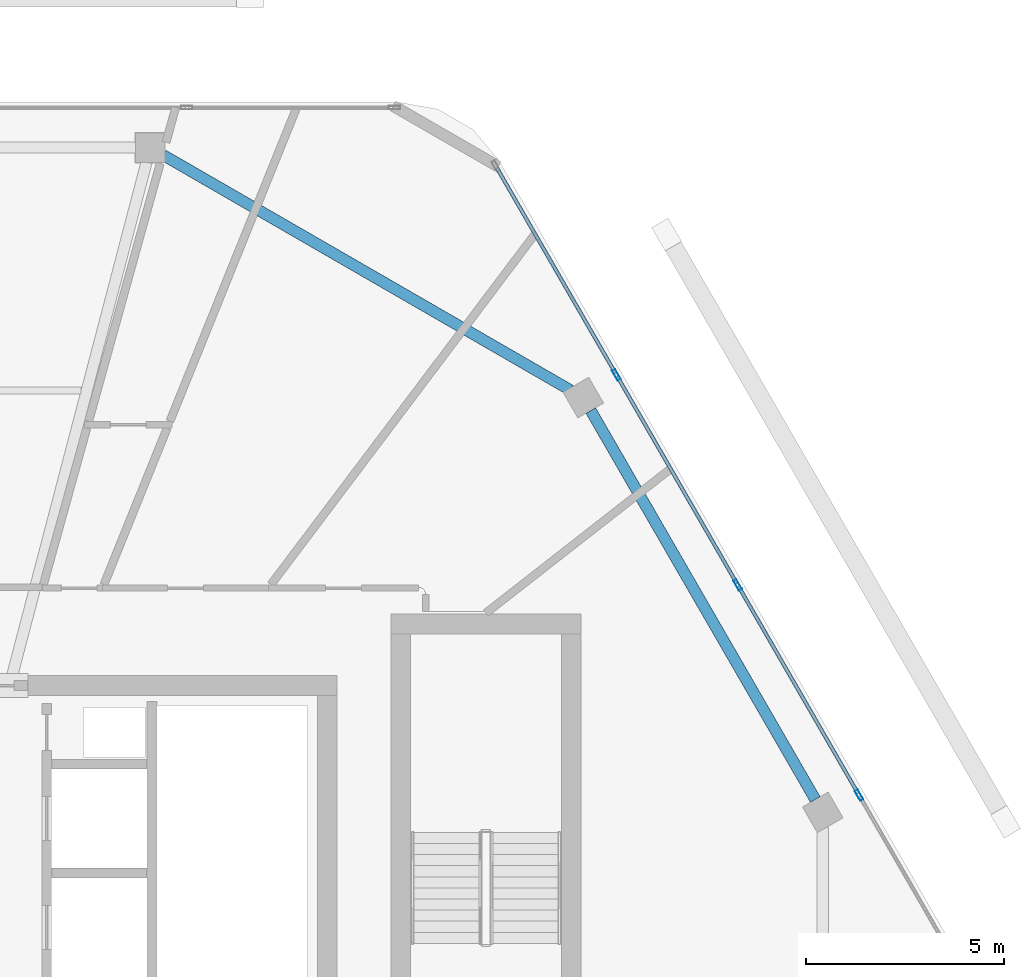
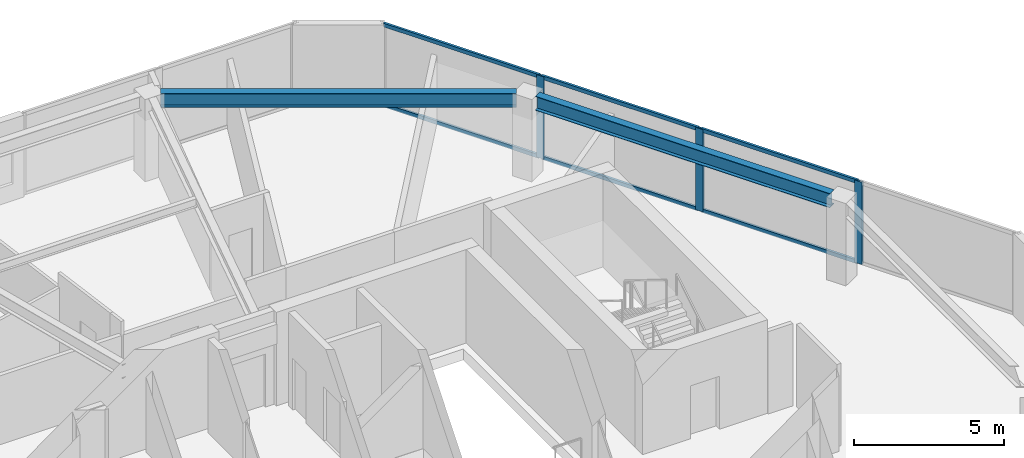
# One storey, part 12 of 22: 9 members, 2 beams, 1 element without a shape of its own.
"""IFC4 building model written with IfcOpenShell, lengths in metres."""

from ifc_helpers import new_model, si_unit, direction, frame, origin, origin_2d, place, context, subcontext, project, spatial, hollow_rectangle, i_section, extrude, material, material_profile, profile_set, type_object, element, aggregate, save


model = new_model("IFC4")

# Units and contexts
model_context = context("Model", 3, precision=1e-05, world=origin(), true_north=direction((0.0, 1.0)))
body_context = subcontext(model_context, "Body", "Model", "MODEL_VIEW")
ifc_project = project(units=[si_unit("LENGTHUNIT", "METRE"), si_unit("AREAUNIT", "SQUARE_METRE"), si_unit("VOLUMEUNIT", "CUBIC_METRE"), si_unit("PLANEANGLEUNIT", "RADIAN"), si_unit("MASSUNIT", "GRAM", prefix="KILO")], contexts=[model_context])

# Site, building, storey
site_placement = place(None, origin())
site = spatial("IfcSite", under=ifc_project, at=site_placement, CompositionType="ELEMENT")
building_placement = place(site_placement, origin())
building = spatial("IfcBuilding", under=site, at=building_placement, Name="Zuhravey Tower", CompositionType="ELEMENT")
storey_placement = place(building_placement, frame((0.0, 0.0, 357.60009765625)))
storey = spatial("IfcBuildingStorey", under=building, at=storey_placement, Name="L91", CompositionType="ELEMENT", Elevation=357.60009765625)

# Curtain wall, members
ifc_material_1 = material(Name="Thermally broken anodised aluminium", Category="aluminium")
curtain_wall_type = type_object("IfcCurtainWallType", Name="Zone 3-4 High-Rise Curtain Wall CW4", PredefinedType="NOTDEFINED", material=ifc_material_1)
curtain_wall_placement = place(storey_placement, origin())
curtain_wall = element("IfcCurtainWall", 1, at=curtain_wall_placement, inside=storey, type_object=curtain_wall_type, Name="L91 CW4 CW-L91-F1-1", PredefinedType="NOTDEFINED")
ifc_material_2 = material(Name="Anodised aluminium", Category="aluminium")
ifc_material_profile_1 = material_profile(ifc_material_2, hollow_rectangle(XDim=0.090087890625, YDim=0.284912109375, WallThickness=0.0048828125, at=origin_2d()), Name="ALU-RHS-90x285x5")
ifc_profile_set_1 = profile_set([ifc_material_profile_1], Name="Anodised aluminium")
member_type_1 = type_object("IfcMemberType", Name="Curtain-Wall Mullion 90x180", PredefinedType="MULLION", material=ifc_profile_set_1)
member_1_placement = place(storey_placement, frame((53.788818359375, 49.3369140625, 0.0), z_axis=(0.0, 0.0, 1.0), x_axis=(0.866025511541, 0.49999981336, 0.0)))
member_1 = element("IfcMember", 2, at=member_1_placement, type_object=member_type_1, Name="CW4 mullion 2", PredefinedType="MULLION", context=body_context, shape_type="SweptSolid", body=[
    extrude(hollow_rectangle(XDim=0.090087890625, YDim=0.284912109375, WallThickness=0.0048828125, at=origin_2d()), origin(), (0.0, 0.0, 1.0), 3.349853515625),
])
member_2_placement = place(storey_placement, frame((56.8486328125, 44.037109375, 0.0), z_axis=(0.0, 0.0, 1.0), x_axis=(0.866025511541, 0.49999981336, 0.0)))
member_2 = element("IfcMember", 3, at=member_2_placement, type_object=member_type_1, Name="CW4 mullion 3", PredefinedType="MULLION", context=body_context, shape_type="SweptSolid", body=[
    extrude(hollow_rectangle(XDim=0.090087890625, YDim=0.284912109375, WallThickness=0.0048828125, at=origin_2d()), origin(), (0.0, 0.0, 1.0), 3.349853515625),
])
member_3_placement = place(storey_placement, frame((59.90869140625, 38.7373046875, 0.0), z_axis=(0.0, 0.0, 1.0), x_axis=(0.866025511541, 0.49999981336, 0.0)))
member_3 = element("IfcMember", 4, at=member_3_placement, type_object=member_type_1, Name="CW4 mullion 4", PredefinedType="MULLION", context=body_context, shape_type="SweptSolid", body=[
    extrude(hollow_rectangle(XDim=0.090087890625, YDim=0.284912109375, WallThickness=0.0048828125, at=origin_2d()), origin(), (0.0, 0.0, 1.0), 3.349853515625),
])
ifc_material_profile_2 = material_profile(ifc_material_2, hollow_rectangle(XDim=0.090087890625, YDim=0.14990234375, WallThickness=0.0048828125, at=origin_2d()), Name="ALU-RHS-90x150x5")
ifc_profile_set_2 = profile_set([ifc_material_profile_2], Name="Anodised aluminium")
member_type_2 = type_object("IfcMemberType", Name="Curtain-Wall Transom 90x150", PredefinedType="USERDEFINED", material=ifc_profile_set_2)
member_4_placement = place(storey_placement, frame((50.774169921875, 54.55859375, 0.044921875), z_axis=(0.499982594807, -0.866035452444, 0.0), x_axis=(0.866035452444, 0.499982594807, 0.0)))
member_4 = element("IfcMember", 5, at=member_4_placement, type_object=member_type_2, Name="CW4 transom 1.1", ObjectType="TRANSOM", PredefinedType="USERDEFINED", context=body_context, shape_type="SweptSolid", body=[
    extrude(hollow_rectangle(XDim=0.090087890625, YDim=0.14990234375, WallThickness=0.0048828125, at=origin_2d()), origin(), (0.0, 0.0, 1.0), 5.984619140625),
])
member_5_placement = place(storey_placement, frame((50.774169921875, 54.55859375, 3.304931640625), z_axis=(0.499982594807, -0.866035452444, 0.0), x_axis=(0.866035452444, 0.499982594807, 0.0)))
member_5 = element("IfcMember", 6, at=member_5_placement, type_object=member_type_2, Name="CW4 transom 1.2", ObjectType="TRANSOM", PredefinedType="USERDEFINED", context=body_context, shape_type="SweptSolid", body=[
    extrude(hollow_rectangle(XDim=0.090087890625, YDim=0.14990234375, WallThickness=0.0048828125, at=origin_2d()), origin(), (0.0, 0.0, 1.0), 5.984619140625),
])
member_6_placement = place(storey_placement, frame((53.8115234375, 49.2978515625, 0.044921875), z_axis=(0.499971305196, -0.866041970103, 0.0), x_axis=(0.866041970103, 0.499971305196, 0.0)))
member_6 = element("IfcMember", 7, at=member_6_placement, type_object=member_type_2, Name="CW4 transom 2.1", ObjectType="TRANSOM", PredefinedType="USERDEFINED", context=body_context, shape_type="SweptSolid", body=[
    extrude(hollow_rectangle(XDim=0.090087890625, YDim=0.14990234375, WallThickness=0.0048828125, at=origin_2d()), origin(), (0.0, 0.0, 1.0), 6.029541015625),
])
member_7_placement = place(storey_placement, frame((53.8115234375, 49.2978515625, 3.304931640625), z_axis=(0.499971305196, -0.866041970103, 0.0), x_axis=(0.866041970103, 0.499971305196, 0.0)))
member_7 = element("IfcMember", 8, at=member_7_placement, type_object=member_type_2, Name="CW4 transom 2.2", ObjectType="TRANSOM", PredefinedType="USERDEFINED", context=body_context, shape_type="SweptSolid", body=[
    extrude(hollow_rectangle(XDim=0.090087890625, YDim=0.14990234375, WallThickness=0.0048828125, at=origin_2d()), origin(), (0.0, 0.0, 1.0), 6.029541015625),
])
member_8_placement = place(storey_placement, frame((56.871337890625, 43.998046875, 0.044921875), z_axis=(0.499988837749, -0.866031848217, 0.0), x_axis=(0.866031848217, 0.499988837749, 0.0)))
member_8 = element("IfcMember", 9, at=member_8_placement, type_object=member_type_2, Name="CW4 transom 3.1", ObjectType="TRANSOM", PredefinedType="USERDEFINED", context=body_context, shape_type="SweptSolid", body=[
    extrude(hollow_rectangle(XDim=0.090087890625, YDim=0.14990234375, WallThickness=0.0048828125, at=origin_2d()), origin(), (0.0, 0.0, 1.0), 6.029541015625),
])
member_9_placement = place(storey_placement, frame((56.871337890625, 43.998046875, 3.304931640625), z_axis=(0.499988837749, -0.866031848217, 0.0), x_axis=(0.866031848217, 0.499988837749, 0.0)))
member_9 = element("IfcMember", 10, at=member_9_placement, type_object=member_type_2, Name="CW4 transom 3.2", ObjectType="TRANSOM", PredefinedType="USERDEFINED", context=body_context, shape_type="SweptSolid", body=[
    extrude(hollow_rectangle(XDim=0.090087890625, YDim=0.14990234375, WallThickness=0.0048828125, at=origin_2d()), origin(), (0.0, 0.0, 1.0), 6.029541015625),
])
aggregate(curtain_wall, [member_1, member_2, member_3, member_4, member_5, member_6, member_7, member_8, member_9])

# Beams
ifc_material_3 = material(Name="Steel SM355", Category="steel")
ifc_material_profile_3 = material_profile(ifc_material_3, i_section(OverallWidth=0.280029296875, OverallDepth=0.580078125, WebThickness=0.011962890625, FlangeThickness=0.01904296875, at=origin_2d()), Name="H-580x280x12x19")
ifc_profile_set_3 = profile_set([ifc_material_profile_3], Name="Steel SM355")
beam_type = type_object("IfcBeamType", Name="Perimeter Ring Beam H580x280", PredefinedType="BEAM", material=ifc_profile_set_3)
beam_1_placement = place(storey_placement, frame((58.804443359375, 38.629638671875, 3.059814453125), z_axis=(-0.499993743963, 0.866029015679, 0.0), x_axis=(-0.866029015679, -0.499993743963, 0.0)))
element("IfcBeam", 11, at=beam_1_placement, inside=storey, type_object=beam_type, Name="L91 PB4 BM-L91-PB-01", PredefinedType="BEAM", context=body_context, shape_type="SweptSolid", body=[
    extrude(i_section(OverallWidth=0.280029296875, OverallDepth=0.580078125, WebThickness=0.011962890625, FlangeThickness=0.01904296875, at=origin_2d()), origin(), (0.0, 0.0, 1.0), 11.321533203125),
])
beam_2_placement = place(storey_placement, frame((52.62744140625, 48.95068359375, 3.059814453125), z_axis=(-0.866030838723, 0.499990586292, 0.0), x_axis=(-0.499990586292, -0.866030838723, 0.0)))
element("IfcBeam", 12, at=beam_2_placement, inside=storey, type_object=beam_type, Name="L91 PB4 BM-L91-PB-02", PredefinedType="BEAM", context=body_context, shape_type="SweptSolid", body=[
    extrude(i_section(OverallWidth=0.280029296875, OverallDepth=0.580078125, WebThickness=0.011962890625, FlangeThickness=0.01904296875, at=origin_2d()), origin(), (0.0, 0.0, 1.0), 11.848876953125),
])

save(model, "model.ifc")
